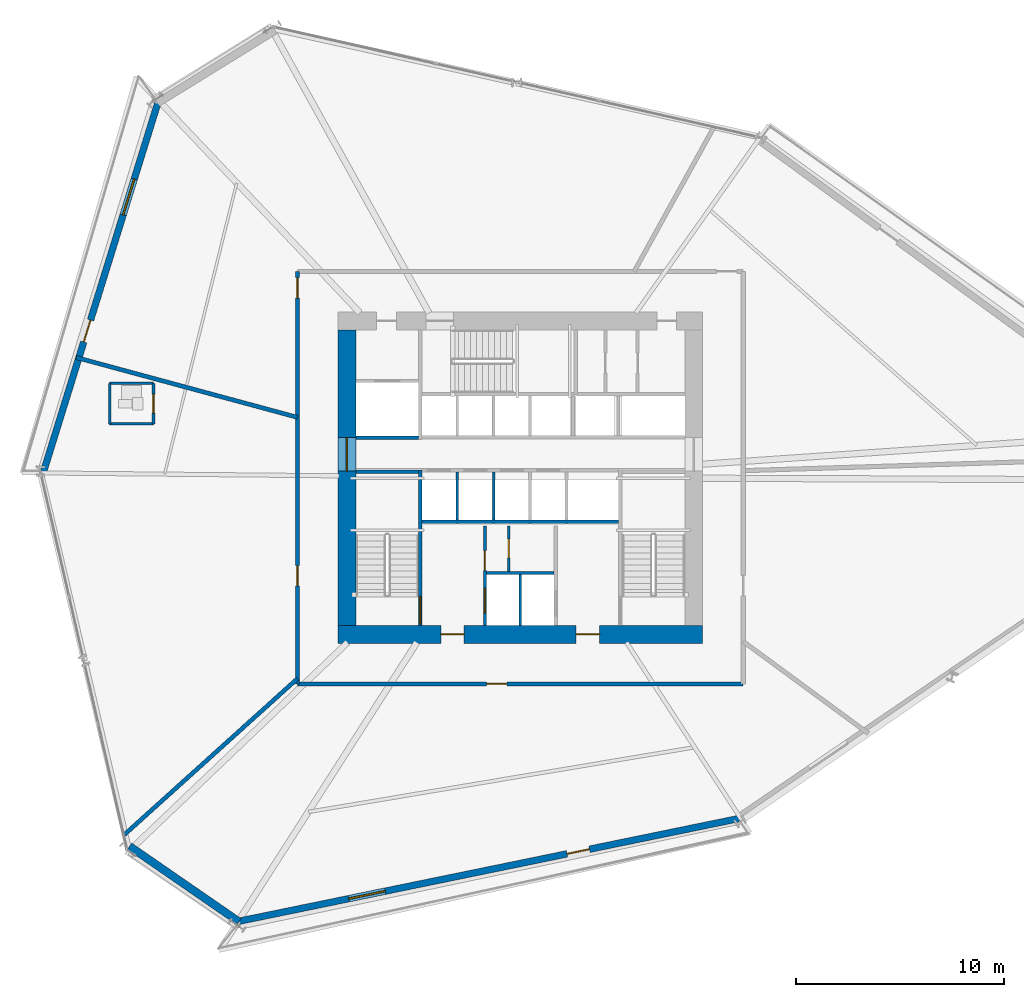
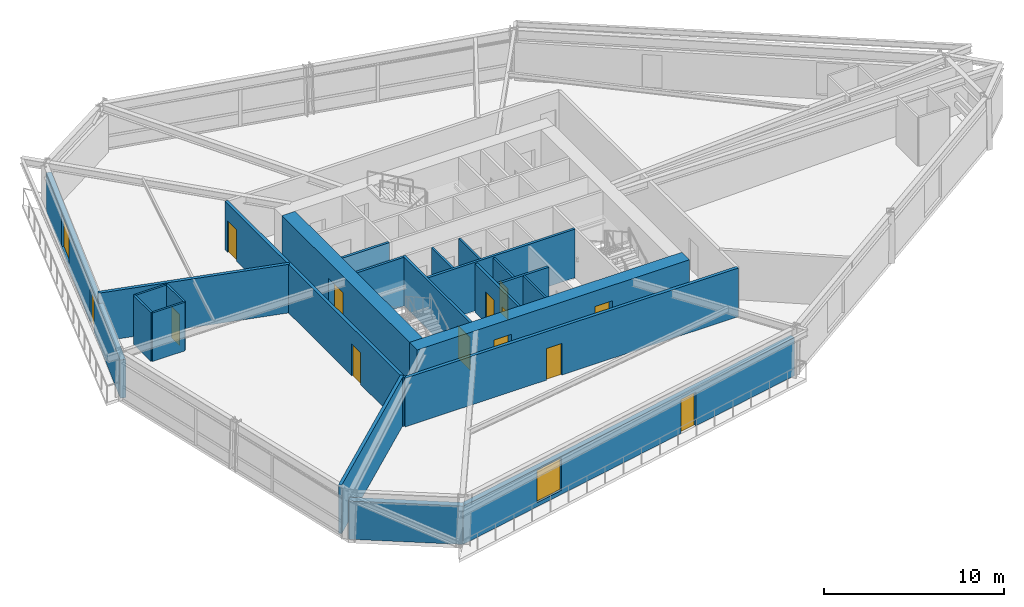
# One storey, part 16 of 23: 23 walls, 13 doors, 2 windows, 15 openings.
"""IFC4 building model written with IfcOpenShell, lengths in metres."""

from ifc_helpers import new_model, si_unit, direction, frame, frame_2d, origin, place, context, subcontext, project, spatial, rectangle, extrude, source, transform, mapped, material, layer, layer_set, type_object, type_shapes, element, fill, save


model = new_model("IFC4")

# Units and contexts
model_context = context("Model", 3, precision=1e-05, world=origin(), true_north=direction((0.0, 1.0)))
body_context = subcontext(model_context, "Body", "Model", "MODEL_VIEW")
ifc_project = project(units=[si_unit("LENGTHUNIT", "METRE"), si_unit("AREAUNIT", "SQUARE_METRE"), si_unit("VOLUMEUNIT", "CUBIC_METRE"), si_unit("PLANEANGLEUNIT", "RADIAN"), si_unit("MASSUNIT", "GRAM", prefix="KILO")], contexts=[model_context])

# Site, building, storey
site_placement = place(None, origin())
site = spatial("IfcSite", under=ifc_project, at=site_placement, CompositionType="ELEMENT")
building_placement = place(site_placement, origin())
building = spatial("IfcBuilding", under=site, at=building_placement, Name="Olszyna Solenne Hotel", CompositionType="ELEMENT")
storey_placement = place(building_placement, frame((0.0, 0.0, 32.85009765625)))
storey = spatial("IfcBuildingStorey", under=building, at=storey_placement, Name="L07", CompositionType="ELEMENT", Elevation=32.85009765625)

# Wall, openings, doors
ifc_material_1 = material(Name="Concrete C60/75", Category="concrete")
ifc_layer_1 = layer(ifc_material_1, 0.85009765625, Name="Concrete C60/75")
ifc_layer_set_1 = layer_set([ifc_layer_1], Name="Concrete C60/75")
wall_type_1 = type_object("IfcWallType", Name="WL-CR850", PredefinedType="SHEAR", material=ifc_layer_set_1)
wall_1_placement = place(storey_placement, frame((46.75, 19.074951171875, 0.0), z_axis=(0.0, 0.0, 1.0), x_axis=(-1.0, 0.0, 0.0)))
wall_1 = element("IfcWall", 1, at=wall_1_placement, inside=storey, type_object=wall_type_1, Name="Core shear wall WL-CR850 CRW-L07-S", PredefinedType="SHEAR", context=body_context, shape_type="SweptSolid", body=[
    extrude(rectangle(XDim=17.5, YDim=0.85009765625, at=frame_2d((8.75, 0.0))), origin(), (0.0, 0.0, 1.0), 3.2998046875),
])
opening_1_placement = place(wall_1_placement, frame((4.949951171875, 0.0, 0.0)))
opening_1 = element("IfcOpeningElement", 2, at=opening_1_placement, cuts=wall_1, Name="Opening FL-L07-1", PredefinedType="OPENING", context=body_context, shape_type="SweptSolid", body=[
    extrude(rectangle(XDim=1.1201171875, YDim=2.25, at=frame_2d((0.56005859375, 1.125))), frame((0.0, 0.43505859375, 0.0), z_axis=(0.0, -1.0, 0.0), x_axis=(1.0, 0.0, 0.0)), (0.0, 0.0, 1.0), 0.8701171875),
])
opening_2_placement = place(wall_1_placement, frame((11.449951171875, 0.0, 0.0)))
opening_2 = element("IfcOpeningElement", 3, at=opening_2_placement, cuts=wall_1, Name="Opening FL-L07-2", PredefinedType="OPENING", context=body_context, shape_type="SweptSolid", body=[
    extrude(rectangle(XDim=1.1201171875, YDim=2.25, at=frame_2d((0.56005859375, 1.125))), frame((0.0, 0.43505859375, 0.0), z_axis=(0.0, -1.0, 0.0), x_axis=(1.0, 0.0, 0.0)), (0.0, 0.0, 1.0), 0.8701171875),
])
ifc_material_2 = material(Name="Steel S355J2", Category="steel")
door_type_1 = type_object("IfcDoorType", Name="DR-FL1", OperationType="NOTDEFINED", PredefinedType="DOOR", material=ifc_material_2)
shared_shape_1 = source(origin(), body_context, "Body", "SweptSolid", [
    extrude(rectangle(XDim=1.1201171875, YDim=2.25, at=frame_2d((0.56005859375, 1.125))), frame((0.0, 0.02490234375, 0.0), z_axis=(0.0, -1.0, 0.0), x_axis=(1.0, 0.0, 0.0)), (0.0, 0.0, 1.0), 0.050048828125),
])
type_shapes(door_type_1, [shared_shape_1])
door_1_placement = place(opening_1_placement, origin())
door_1 = element("IfcDoor", 4, at=door_1_placement, inside=storey, type_object=door_type_1, Name="Firefighting lift lobby smoke door FL-L07-1", OperationType="SINGLE_SWING_LEFT", OverallHeight=2.25, OverallWidth=1.1201171875, PredefinedType="DOOR", context=body_context, shape_type="MappedRepresentation", body=[
    mapped(shared_shape_1, transform((0.0, 0.0, 0.0), x_axis=(1.0, 0.0, 0.0), y_axis=(0.0, 1.0, 0.0), z_axis=(0.0, 0.0, 1.0), scale=1.0)),
])
fill(opening_1, door_1)
door_2_placement = place(opening_2_placement, origin())
door_2 = element("IfcDoor", 5, at=door_2_placement, inside=storey, type_object=door_type_1, Name="Firefighting lift lobby smoke door FL-L07-2", OperationType="SINGLE_SWING_RIGHT", OverallHeight=2.25, OverallWidth=1.1201171875, PredefinedType="DOOR", context=body_context, shape_type="MappedRepresentation", body=[
    mapped(shared_shape_1, transform((0.0, 0.0, 0.0), x_axis=(1.0, 0.0, 0.0), y_axis=(0.0, 1.0, 0.0), z_axis=(0.0, 0.0, 1.0), scale=1.0)),
])
fill(opening_2, door_2)

# Wall, opening, door
wall_2_placement = place(storey_placement, frame((29.675048828125, 19.5, 0.0), z_axis=(0.0, 0.0, 1.0), x_axis=(0.0, 1.0, 0.0)))
wall_2 = element("IfcWall", 6, at=wall_2_placement, inside=storey, type_object=wall_type_1, Name="Core shear wall WL-CR850 CRW-L07-W", PredefinedType="SHEAR", context=body_context, shape_type="SweptSolid", body=[
    extrude(rectangle(XDim=14.199951171875, YDim=0.85009765625, at=frame_2d((7.10009765625, 0.0))), origin(), (0.0, 0.0, 1.0), 3.2998046875),
])
opening_3_placement = place(wall_2_placement, frame((7.419921875, 0.0, 0.0)))
opening_3 = element("IfcOpeningElement", 7, at=opening_3_placement, cuts=wall_2, Name="Opening LHD-L07-W", PredefinedType="OPENING", context=body_context, shape_type="SweptSolid", body=[
    extrude(rectangle(XDim=1.60009765625, YDim=2.199951171875, at=frame_2d((0.800048828125, 1.10009765625))), frame((0.0, 0.43505859375, 0.0), z_axis=(0.0, -1.0, 0.0), x_axis=(1.0, 0.0, 0.0)), (0.0, 0.0, 1.0), 0.8701171875),
])
ifc_material_3 = material(Name="Timber hardwood", Category="wood")
door_type_2 = type_object("IfcDoorType", Name="DR-CR1", OperationType="DOUBLE_DOOR_SINGLE_SWING", PredefinedType="DOOR", material=ifc_material_3)
shared_shape_2 = source(origin(), body_context, "Body", "SweptSolid", [
    extrude(rectangle(XDim=1.60009765625, YDim=2.199951171875, at=frame_2d((0.800048828125, 1.10009765625))), frame((0.0, 0.02490234375, 0.0), z_axis=(0.0, -1.0, 0.0), x_axis=(1.0, 0.0, 0.0)), (0.0, 0.0, 1.0), 0.050048828125),
])
type_shapes(door_type_2, [shared_shape_2])
door_3_placement = place(opening_3_placement, origin())
door_3 = element("IfcDoor", 8, at=door_3_placement, inside=storey, type_object=door_type_2, Name="Passenger lift lobby West fire door LHD-L07-W", OperationType="DOUBLE_DOOR_SINGLE_SWING", OverallHeight=2.199951171875, OverallWidth=1.60009765625, PredefinedType="DOOR", context=body_context, shape_type="MappedRepresentation", body=[
    mapped(shared_shape_2, transform((0.0, 0.0, 0.0), x_axis=(1.0, 0.0, 0.0), y_axis=(0.0, 1.0, 0.0), z_axis=(0.0, 0.0, 1.0), scale=1.0)),
])
fill(opening_3, door_3)

# Wall, openings, door, window
ifc_material_4 = material(Name="Precast concrete C45/55", Category="concrete")
ifc_layer_2 = layer(ifc_material_4, 0.320068359375, Name="Precast concrete C45/55")
ifc_layer_set_2 = layer_set([ifc_layer_2], Name="Precast concrete C45/55")
wall_type_2 = type_object("IfcWallType", Name="WL-EX320", PredefinedType="SOLIDWALL", material=ifc_layer_set_2)
wall_3_placement = place(storey_placement, frame((48.5078125, 10.23876953125, 0.0), z_axis=(0.0, 0.0, 1.0), x_axis=(-0.979551146508, -0.201195306543, 0.0)))
wall_3 = element("IfcWall", 9, at=wall_3_placement, inside=storey, type_object=wall_type_2, Name="Exterior terracotta-precast frame wall WL-EX320 EW-L07-01", PredefinedType="SOLIDWALL", context=body_context, shape_type="SweptSolid", body=[
    extrude(rectangle(XDim=24.658447265625, YDim=0.320068359375, at=frame_2d((12.3291015625, 0.0))), origin(), (0.0, 0.0, 1.0), 2.591796875),
])
opening_4_placement = place(wall_3_placement, frame((7.341064453125, 0.0, 0.0)))
opening_4 = element("IfcOpeningElement", 10, at=opening_4_placement, cuts=wall_3, Name="Opening LDG-L07-3", PredefinedType="OPENING", context=body_context, shape_type="SweptSolid", body=[
    extrude(rectangle(XDim=1.10009765625, YDim=2.300048828125, at=frame_2d((0.550048828125, 1.14990234375))), frame((0.0, 0.169921875, 0.0), z_axis=(0.0, -1.0, 0.0), x_axis=(1.0, 0.0, 0.0)), (0.0, 0.0, 1.0), 0.340087890625),
])
opening_5_placement = place(wall_3_placement, frame((17.346923828125, 0.0, 0.27197265625)))
opening_5 = element("IfcOpeningElement", 11, at=opening_5_placement, cuts=wall_3, Name="Opening WN-L07-026", PredefinedType="OPENING", context=body_context, shape_type="SweptSolid", body=[
    extrude(rectangle(XDim=1.800048828125, YDim=2.199951171875, at=frame_2d((0.89990234375, 1.10009765625))), frame((0.0, 0.169921875, 0.0), z_axis=(0.0, -1.0, 0.0), x_axis=(1.0, 0.0, 0.0)), (0.0, 0.0, 1.0), 0.340087890625),
])
ifc_material_5 = material(Name="Anodised bronze aluminium", Category="aluminium")
door_type_3 = type_object("IfcDoorType", Name="DR-LG1", OperationType="NOTDEFINED", PredefinedType="DOOR", material=ifc_material_5)
shared_shape_3 = source(origin(), body_context, "Body", "SweptSolid", [
    extrude(rectangle(XDim=1.10009765625, YDim=2.300048828125, at=frame_2d((0.550048828125, 1.14990234375))), frame((0.0, 0.02490234375, 0.0), z_axis=(0.0, -1.0, 0.0), x_axis=(1.0, 0.0, 0.0)), (0.0, 0.0, 1.0), 0.050048828125),
])
type_shapes(door_type_3, [shared_shape_3])
door_4_placement = place(opening_4_placement, origin())
door_4 = element("IfcDoor", 12, at=door_4_placement, inside=storey, type_object=door_type_3, Name="Exterior loggia balcony door DR-LG1 LDG-L07-3", OperationType="SINGLE_SWING_LEFT", OverallHeight=2.300048828125, OverallWidth=1.10009765625, PredefinedType="DOOR", context=body_context, shape_type="MappedRepresentation", body=[
    mapped(shared_shape_3, transform((0.0, 0.0, 0.0), x_axis=(1.0, 0.0, 0.0), y_axis=(0.0, 1.0, 0.0), z_axis=(0.0, 0.0, 1.0), scale=1.0)),
])
fill(opening_4, door_4)
ifc_material_6 = material(Name="Low-E triple glazing", Category="glass")
window_type = type_object("IfcWindowType", Name="WN-HT1", PartitioningType="SINGLE_PANEL", PredefinedType="WINDOW", material=ifc_material_6)
shared_shape_4 = source(origin(), body_context, "Body", "SweptSolid", [
    extrude(rectangle(XDim=1.800048828125, YDim=2.199951171875, at=frame_2d((0.89990234375, 1.10009765625))), frame((0.0, 0.030029296875, 0.0), z_axis=(0.0, -1.0, 0.0), x_axis=(1.0, 0.0, 0.0)), (0.0, 0.0, 1.0), 0.06005859375),
])
type_shapes(window_type, [shared_shape_4])
window_1_placement = place(opening_5_placement, origin())
window_1 = element("IfcWindow", 13, at=window_1_placement, inside=storey, type_object=window_type, Name="Loggia room window WN-HT1 WN-L07-026", OverallHeight=2.199951171875, OverallWidth=1.800048828125, PartitioningType="SINGLE_PANEL", PredefinedType="WINDOW", context=body_context, shape_type="MappedRepresentation", body=[
    mapped(shared_shape_4, transform((0.0, 0.0, 0.0), x_axis=(1.0, 0.0, 0.0), y_axis=(0.0, 1.0, 0.0), z_axis=(0.0, 0.0, 1.0), scale=1.0)),
])
fill(opening_5, window_1)

wall_4_placement = place(storey_placement, frame((15.10986328125, 26.886474609375, 0.0), z_axis=(0.0, 0.0, 1.0), x_axis=(0.295931636949, 0.955209121739, 0.0)))
wall_4 = element("IfcWall", 14, at=wall_4_placement, inside=storey, type_object=wall_type_2, Name="Exterior terracotta-precast frame wall WL-EX320 EW-L07-04", PredefinedType="SOLIDWALL", context=body_context, shape_type="SweptSolid", body=[
    extrude(rectangle(XDim=18.657958984375, YDim=0.320068359375, at=frame_2d((9.3291015625, 0.0))), origin(), (0.0, 0.0, 1.0), 2.591796875),
])
opening_6_placement = place(wall_4_placement, frame((6.52099609375, 0.0, 0.0)))
opening_6 = element("IfcOpeningElement", 15, at=opening_6_placement, cuts=wall_4, Name="Opening LDG-L07-2", PredefinedType="OPENING", context=body_context, shape_type="SweptSolid", body=[
    extrude(rectangle(XDim=1.10009765625, YDim=2.300048828125, at=frame_2d((0.550048828125, 1.14990234375))), frame((0.0, 0.169921875, 0.0), z_axis=(0.0, -1.0, 0.0), x_axis=(1.0, 0.0, 0.0)), (0.0, 0.0, 1.0), 0.340087890625),
])
opening_7_placement = place(wall_4_placement, frame((12.906982421875, 0.0, 0.27197265625)))
opening_7 = element("IfcOpeningElement", 16, at=opening_7_placement, cuts=wall_4, Name="Opening WN-L07-027", PredefinedType="OPENING", context=body_context, shape_type="SweptSolid", body=[
    extrude(rectangle(XDim=1.800048828125, YDim=2.199951171875, at=frame_2d((0.89990234375, 1.10009765625))), frame((0.0, 0.169921875, 0.0), z_axis=(0.0, -1.0, 0.0), x_axis=(1.0, 0.0, 0.0)), (0.0, 0.0, 1.0), 0.340087890625),
])
door_5_placement = place(opening_6_placement, origin())
door_5 = element("IfcDoor", 17, at=door_5_placement, inside=storey, type_object=door_type_3, Name="Exterior loggia balcony door DR-LG1 LDG-L07-2", OperationType="SINGLE_SWING_RIGHT", OverallHeight=2.300048828125, OverallWidth=1.10009765625, PredefinedType="DOOR", context=body_context, shape_type="MappedRepresentation", body=[
    mapped(shared_shape_3, transform((0.0, 0.0, 0.0), x_axis=(1.0, 0.0, 0.0), y_axis=(0.0, 1.0, 0.0), z_axis=(0.0, 0.0, 1.0), scale=1.0)),
])
fill(opening_6, door_5)
window_2_placement = place(opening_7_placement, origin())
window_2 = element("IfcWindow", 18, at=window_2_placement, inside=storey, type_object=window_type, Name="Loggia room window WN-HT1 WN-L07-027", OverallHeight=2.199951171875, OverallWidth=1.800048828125, PartitioningType="SINGLE_PANEL", PredefinedType="WINDOW", context=body_context, shape_type="MappedRepresentation", body=[
    mapped(shared_shape_4, transform((0.0, 0.0, 0.0), x_axis=(1.0, 0.0, 0.0), y_axis=(0.0, 1.0, 0.0), z_axis=(0.0, 0.0, 1.0), scale=1.0)),
])
fill(opening_7, window_2)

# Walls
ifc_material_7 = material(Name="Terracotta cladding on precast concrete C45/55", Category="masonry")
ifc_layer_3 = layer(ifc_material_7, 0.3798828125, Name="Terracotta cladding on precast concrete C45/55")
ifc_layer_set_3 = layer_set([ifc_layer_3], Name="Terracotta cladding on precast concrete C45/55")
wall_type_3 = type_object("IfcWallType", Name="WL-EX380", PredefinedType="SOLIDWALL", material=ifc_layer_set_3)
wall_5_placement = place(storey_placement, frame((24.49365234375, 5.277099609375, 0.0), z_axis=(0.0, 0.0, 1.0), x_axis=(-0.823143176909, 0.567833875625, 0.0)))
element("IfcWall", 19, at=wall_5_placement, inside=storey, type_object=wall_type_3, Name="Exterior terracotta-precast frame wall WL-EX380 EW-L07-02", PredefinedType="SOLIDWALL", context=body_context, shape_type="SweptSolid", body=[
    extrude(rectangle(XDim=6.3876953125, YDim=0.3798828125, at=frame_2d((3.19384765625, 0.0))), origin(), (0.0, 0.0, 1.0), 2.591796875),
])
ifc_material_8 = material(Name="Acoustic gypsum partition", Category="gypsum")
ifc_layer_4 = layer(ifc_material_8, 0.125, Name="Acoustic gypsum partition")
ifc_layer_set_4 = layer_set([ifc_layer_4], Name="Acoustic gypsum partition")
wall_type_4 = type_object("IfcWallType", Name="WL-PT125", PredefinedType="PARTITIONING", material=ifc_layer_set_4)
wall_6_placement = place(storey_placement, frame((38.0, 19.5, 0.0), z_axis=(0.0, 0.0, 1.0), x_axis=(0.0, 1.0, 0.0)))
element("IfcWall", 20, at=wall_6_placement, inside=storey, type_object=wall_type_4, Name="Core shaft compartment wall CW-L07-FFM", PredefinedType="PARTITIONING", context=body_context, shape_type="SweptSolid", body=[
    extrude(rectangle(XDim=2.4599609375, YDim=0.125, at=frame_2d((1.22998046875, 0.0))), origin(), (0.0, 0.0, 1.0), 3.2998046875),
])

# Wall, opening, door
wall_7_placement = place(storey_placement, frame((37.44189453125, 22.10009765625, 0.0), z_axis=(0.0, 0.0, 1.0), x_axis=(0.0, 1.0, 0.0)))
wall_7 = element("IfcWall", 21, at=wall_7_placement, inside=storey, type_object=wall_type_4, Name="Core shaft compartment wall CW-L07-SC3", PredefinedType="PARTITIONING", context=body_context, shape_type="SweptSolid", body=[
    extrude(rectangle(XDim=2.179931640625, YDim=0.125, at=frame_2d((1.08984375, 0.0))), origin(), (0.0, 0.0, 1.0), 3.2998046875),
])
opening_8_placement = place(wall_7_placement, frame((0.64990234375, 0.0, 0.0)))
opening_8 = element("IfcOpeningElement", 22, at=opening_8_placement, cuts=wall_7, Name="Opening SVD-L07-SC3", PredefinedType="OPENING", context=body_context, shape_type="SweptSolid", body=[
    extrude(rectangle(XDim=0.89990234375, YDim=2.10009765625, at=frame_2d((0.449951171875, 1.050048828125))), frame((0.0, 0.072509765625, 0.0), z_axis=(0.0, -1.0, 0.0), x_axis=(1.0, 0.0, 0.0)), (0.0, 0.0, 1.0), 0.14501953125),
])
door_type_4 = type_object("IfcDoorType", Name="DR-WC1", OperationType="NOTDEFINED", PredefinedType="DOOR", material=ifc_material_3)
shared_shape_5 = source(origin(), body_context, "Body", "SweptSolid", [
    extrude(rectangle(XDim=0.89990234375, YDim=2.10009765625, at=frame_2d((0.449951171875, 1.050048828125))), frame((0.0, 0.02490234375, 0.0), z_axis=(0.0, -1.0, 0.0), x_axis=(1.0, 0.0, 0.0)), (0.0, 0.0, 1.0), 0.050048828125),
])
type_shapes(door_type_4, [shared_shape_5])
door_6_placement = place(opening_8_placement, origin())
door_6 = element("IfcDoor", 23, at=door_6_placement, inside=storey, type_object=door_type_4, Name="Trolley bay door SVD-L07-SC3", OperationType="SINGLE_SWING_LEFT", OverallHeight=2.10009765625, OverallWidth=0.89990234375, PredefinedType="DOOR", context=body_context, shape_type="MappedRepresentation", body=[
    mapped(shared_shape_5, transform((0.0, 0.0, 0.0), x_axis=(1.0, 0.0, 0.0), y_axis=(0.0, 1.0, 0.0), z_axis=(0.0, 0.0, 1.0), scale=1.0)),
])
fill(opening_8, door_6)

# Walls
for number, where, z_axis, x_axis, name in (
    (24, (34.965087890625, 24.56005859375, 0.0), (0.0, 0.0, 1.0), (0.0, 1.0, 0.0), "Core shaft compartment wall CW-L07-DIVS349"),
    (25, (36.715087890625, 24.56005859375, 0.0), (0.0, 0.0, 1.0), (0.0, 1.0, 0.0), "Core shaft compartment wall CW-L07-DIVS367"),
):
    element("IfcWall", number, at=place(storey_placement, frame(where, z_axis=z_axis, x_axis=x_axis)), inside=storey, type_object=wall_type_4, Name=name, PredefinedType="PARTITIONING", context=body_context, shape_type="SweptSolid", body=[
        extrude(rectangle(XDim=2.31005859375, YDim=0.125, at=frame_2d((1.155029296875, 0.0))), origin(), (0.0, 0.0, 1.0), 3.2998046875),
    ])

# Wall, opening, door
wall_8_placement = place(storey_placement, frame((20.386962890625, 29.179931640625, 0.0), z_axis=(0.0, 0.0, 1.0), x_axis=(0.0, 1.0, 0.0)))
wall_8 = element("IfcWall", 26, at=wall_8_placement, inside=storey, type_object=wall_type_4, Name="Interior acoustic partition WL-PT125 PW-L07-0409", PredefinedType="PARTITIONING", context=body_context, shape_type="SweptSolid", body=[
    extrude(rectangle(XDim=1.949951171875, YDim=0.125, at=frame_2d((0.97509765625, 0.0))), origin(), (0.0, 0.0, 1.0), 3.2998046875),
])
opening_9_placement = place(wall_8_placement, frame((0.52490234375, 0.0, 0.0)))
opening_9 = element("IfcOpeningElement", 27, at=opening_9_placement, cuts=wall_8, Name="Opening DR-L07-0089", PredefinedType="OPENING", context=body_context, shape_type="SweptSolid", body=[
    extrude(rectangle(XDim=0.89990234375, YDim=2.10009765625, at=frame_2d((0.449951171875, 1.050048828125))), frame((0.0, 0.072509765625, 0.0), z_axis=(0.0, -1.0, 0.0), x_axis=(1.0, 0.0, 0.0)), (0.0, 0.0, 1.0), 0.14501953125),
])
door_7_placement = place(opening_9_placement, origin())
door_7 = element("IfcDoor", 28, at=door_7_placement, inside=storey, type_object=door_type_4, Name="En-Suite Bathroom Door DR-L07-0089", OperationType="SINGLE_SWING_RIGHT", OverallHeight=2.10009765625, OverallWidth=0.89990234375, PredefinedType="DOOR", context=body_context, shape_type="MappedRepresentation", body=[
    mapped(shared_shape_5, transform((0.0, 0.0, 0.0), x_axis=(1.0, 0.0, 0.0), y_axis=(0.0, 1.0, 0.0), z_axis=(0.0, 0.0, 1.0), scale=1.0)),
])
fill(opening_9, door_7)

# Walls
wall_9_placement = place(storey_placement, frame((20.386962890625, 31.1298828125, 0.0), z_axis=(0.0, 0.0, 1.0), x_axis=(-1.0, 0.0, 0.0)))
element("IfcWall", 29, at=wall_9_placement, inside=storey, type_object=wall_type_4, Name="Interior acoustic partition WL-PT125 PW-L07-0410", PredefinedType="PARTITIONING", context=body_context, shape_type="SweptSolid", body=[
    extrude(rectangle(XDim=2.099853515625, YDim=0.125, at=frame_2d((1.0498046875, 0.0))), origin(), (0.0, 0.0, 1.0), 3.2998046875),
])
wall_10_placement = place(storey_placement, frame((18.287109375, 31.1298828125, 0.0), z_axis=(0.0, 0.0, 1.0), x_axis=(0.0, -1.0, 0.0)))
element("IfcWall", 30, at=wall_10_placement, inside=storey, type_object=wall_type_4, Name="Interior acoustic partition WL-PT125 PW-L07-0411", PredefinedType="PARTITIONING", context=body_context, shape_type="SweptSolid", body=[
    extrude(rectangle(XDim=1.949951171875, YDim=0.125, at=frame_2d((0.97509765625, 0.0))), origin(), (0.0, 0.0, 1.0), 3.2998046875),
])
wall_11_placement = place(storey_placement, frame((18.287109375, 29.179931640625, 0.0), z_axis=(0.0, 0.0, 1.0), x_axis=(1.0, 0.0, 0.0)))
element("IfcWall", 31, at=wall_11_placement, inside=storey, type_object=wall_type_4, Name="Interior acoustic partition WL-PT125 PW-L07-0412", PredefinedType="PARTITIONING", context=body_context, shape_type="SweptSolid", body=[
    extrude(rectangle(XDim=2.099853515625, YDim=0.125, at=frame_2d((1.0498046875, 0.0))), origin(), (0.0, 0.0, 1.0), 3.2998046875),
])

# Wall, opening, door
ifc_layer_5 = layer(ifc_material_8, 0.159912109375, Name="Acoustic gypsum partition")
ifc_layer_set_5 = layer_set([ifc_layer_5], Name="Acoustic gypsum partition")
wall_type_5 = type_object("IfcWallType", Name="WL-PT160", PredefinedType="PARTITIONING", material=ifc_layer_set_5)
wall_12_placement = place(storey_placement, frame((33.199951171875, 19.5, 0.0), z_axis=(0.0, 0.0, 1.0), x_axis=(0.0, 1.0, 0.0)))
wall_12 = element("IfcWall", 32, at=wall_12_placement, inside=storey, type_object=wall_type_5, Name="Core shaft compartment wall CW-L07-ST1E", PredefinedType="PARTITIONING", context=body_context, shape_type="SweptSolid", body=[
    extrude(rectangle(XDim=7.4599609375, YDim=0.159912109375, at=frame_2d((3.72998046875, 0.0))), origin(), (0.0, 0.0, 1.0), 3.2998046875),
])
opening_10_placement = place(wall_12_placement, frame((0.080078125, 0.0, 0.0)))
opening_10 = element("IfcOpeningElement", 33, at=opening_10_placement, cuts=wall_12, Name="Opening STD-L07-01", PredefinedType="OPENING", context=body_context, shape_type="SweptSolid", body=[
    extrude(rectangle(XDim=1.320068359375, YDim=2.199951171875, at=frame_2d((0.66015625, 1.10009765625))), frame((0.0, 0.08984375, 0.0), z_axis=(0.0, -1.0, 0.0), x_axis=(1.0, 0.0, 0.0)), (0.0, 0.0, 1.0), 0.179931640625),
])
door_type_5 = type_object("IfcDoorType", Name="DR-ST1", OperationType="NOTDEFINED", PredefinedType="DOOR", material=ifc_material_2)
shared_shape_6 = source(origin(), body_context, "Body", "SweptSolid", [
    extrude(rectangle(XDim=1.320068359375, YDim=2.199951171875, at=frame_2d((0.66015625, 1.10009765625))), frame((0.0, 0.02490234375, 0.0), z_axis=(0.0, -1.0, 0.0), x_axis=(1.0, 0.0, 0.0)), (0.0, 0.0, 1.0), 0.050048828125),
])
type_shapes(door_type_5, [shared_shape_6])
door_8_placement = place(opening_10_placement, origin())
door_8 = element("IfcDoor", 34, at=door_8_placement, inside=storey, type_object=door_type_5, Name="Pressurised exit stair ST1 fire door STD-L07-01", OperationType="SINGLE_SWING_LEFT", OverallHeight=2.199951171875, OverallWidth=1.320068359375, PredefinedType="DOOR", context=body_context, shape_type="MappedRepresentation", body=[
    mapped(shared_shape_6, transform((0.0, 0.0, 0.0), x_axis=(1.0, 0.0, 0.0), y_axis=(0.0, 1.0, 0.0), z_axis=(0.0, 0.0, 1.0), scale=1.0)),
])
fill(opening_10, door_8)

# Wall
wall_13_placement = place(storey_placement, frame((30.10009765625, 26.8798828125, 0.0), z_axis=(0.0, 0.0, 1.0), x_axis=(1.0, 0.0, 0.0)))
element("IfcWall", 35, at=wall_13_placement, inside=storey, type_object=wall_type_5, Name="Core shaft compartment wall CW-L07-ST1N", PredefinedType="PARTITIONING", context=body_context, shape_type="SweptSolid", body=[
    extrude(rectangle(XDim=3.02001953125, YDim=0.159912109375, at=frame_2d((1.510009765625, 0.0))), origin(), (0.0, 0.0, 1.0), 3.2998046875),
])

# Wall, openings, doors
wall_14_placement = place(storey_placement, frame((36.300048828125, 19.5, 0.0), z_axis=(0.0, 0.0, 1.0), x_axis=(0.0, 1.0, 0.0)))
wall_14 = element("IfcWall", 36, at=wall_14_placement, inside=storey, type_object=wall_type_5, Name="Core shaft compartment wall CW-L07-FF1W", PredefinedType="PARTITIONING", context=body_context, shape_type="SweptSolid", body=[
    extrude(rectangle(XDim=4.780029296875, YDim=0.159912109375, at=frame_2d((2.39013671875, 0.0))), origin(), (0.0, 0.0, 1.0), 3.2998046875),
])
opening_11_placement = place(wall_14_placement, frame((0.60009765625, 0.0, 0.0)))
opening_11 = element("IfcOpeningElement", 37, at=opening_11_placement, cuts=wall_14, Name="Opening LD-L07-FF1", PredefinedType="OPENING", context=body_context, shape_type="SweptSolid", body=[
    extrude(rectangle(XDim=1.199951171875, YDim=2.199951171875, at=frame_2d((0.60009765625, 1.10009765625))), frame((0.0, 0.08984375, 0.0), z_axis=(0.0, -1.0, 0.0), x_axis=(1.0, 0.0, 0.0)), (0.0, 0.0, 1.0), 0.179931640625),
])
opening_12_placement = place(wall_14_placement, frame((2.64990234375, 0.0, 0.0)))
opening_12 = element("IfcOpeningElement", 38, at=opening_12_placement, cuts=wall_14, Name="Opening SVD-L07-SMK", PredefinedType="OPENING", context=body_context, shape_type="SweptSolid", body=[
    extrude(rectangle(XDim=0.949951171875, YDim=2.10009765625, at=frame_2d((0.47509765625, 1.050048828125))), frame((0.0, 0.08984375, 0.0), z_axis=(0.0, -1.0, 0.0), x_axis=(1.0, 0.0, 0.0)), (0.0, 0.0, 1.0), 0.179931640625),
])
door_type_6 = type_object("IfcDoorType", Name="DR-SV1", OperationType="NOTDEFINED", PredefinedType="DOOR", material=ifc_material_2)
shared_shape_7 = source(origin(), body_context, "Body", "SweptSolid", [
    extrude(rectangle(XDim=0.949951171875, YDim=2.10009765625, at=frame_2d((0.47509765625, 1.050048828125))), frame((0.0, 0.02490234375, 0.0), z_axis=(0.0, -1.0, 0.0), x_axis=(1.0, 0.0, 0.0)), (0.0, 0.0, 1.0), 0.050048828125),
])
type_shapes(door_type_6, [shared_shape_7])
door_9_placement = place(opening_12_placement, origin())
door_9 = element("IfcDoor", 39, at=door_9_placement, inside=storey, type_object=door_type_6, Name="Valet and core service room door SVD-L07-SMK", OperationType="SINGLE_SWING_LEFT", OverallHeight=2.10009765625, OverallWidth=0.949951171875, PredefinedType="DOOR", context=body_context, shape_type="MappedRepresentation", body=[
    mapped(shared_shape_7, transform((0.0, 0.0, 0.0), x_axis=(1.0, 0.0, 0.0), y_axis=(0.0, 1.0, 0.0), z_axis=(0.0, 0.0, 1.0), scale=1.0)),
])
fill(opening_12, door_9)
door_type_7 = type_object("IfcDoorType", Name="LD-FF1", OperationType="DOUBLE_DOOR_SLIDING", PredefinedType="DOOR", material=ifc_material_2)
shared_shape_8 = source(origin(), body_context, "Body", "SweptSolid", [
    extrude(rectangle(XDim=1.199951171875, YDim=2.199951171875, at=frame_2d((0.60009765625, 1.10009765625))), frame((0.0, 0.02490234375, 0.0), z_axis=(0.0, -1.0, 0.0), x_axis=(1.0, 0.0, 0.0)), (0.0, 0.0, 1.0), 0.050048828125),
])
type_shapes(door_type_7, [shared_shape_8])
door_10_placement = place(opening_11_placement, origin())
door_10 = element("IfcDoor", 40, at=door_10_placement, inside=storey, type_object=door_type_7, Name="Firefighters lift FF1 sliding landing door LD-L07-FF1", OperationType="DOUBLE_DOOR_SLIDING", OverallHeight=2.199951171875, OverallWidth=1.199951171875, PredefinedType="DOOR", context=body_context, shape_type="MappedRepresentation", body=[
    mapped(shared_shape_8, transform((0.0, 0.0, 0.0), x_axis=(1.0, 0.0, 0.0), y_axis=(0.0, 1.0, 0.0), z_axis=(0.0, 0.0, 1.0), scale=1.0)),
])
fill(opening_11, door_10)

# Walls
wall_15_placement = place(storey_placement, frame((36.3798828125, 22.02001953125, 0.0), z_axis=(0.0, 0.0, 1.0), x_axis=(1.0, 0.0, 0.0)))
element("IfcWall", 41, at=wall_15_placement, inside=storey, type_object=wall_type_5, Name="Core shaft compartment wall CW-L07-FFN", PredefinedType="PARTITIONING", context=body_context, shape_type="SweptSolid", body=[
    extrude(rectangle(XDim=3.240234375, YDim=0.159912109375, at=frame_2d((1.6201171875, 0.0))), origin(), (0.0, 0.0, 1.0), 3.2998046875),
])
wall_16_placement = place(storey_placement, frame((33.280029296875, 24.489990234375, 0.0), z_axis=(0.0, 0.0, 1.0), x_axis=(1.0, 0.0, 0.0)))
element("IfcWall", 42, at=wall_16_placement, inside=storey, type_object=wall_type_5, Name="Core shaft compartment wall CW-L07-FFBN", PredefinedType="PARTITIONING", context=body_context, shape_type="SweptSolid", body=[
    extrude(rectangle(XDim=9.43994140625, YDim=0.159912109375, at=frame_2d((4.719970703125, 0.0))), origin(), (0.0, 0.0, 1.0), 3.2998046875),
])
wall_17_placement = place(storey_placement, frame((30.10009765625, 28.52001953125, 0.0), z_axis=(0.0, 0.0, 1.0), x_axis=(1.0, 0.0, 0.0)))
element("IfcWall", 43, at=wall_17_placement, inside=storey, type_object=wall_type_5, Name="Core shaft compartment wall CW-L07-SV1S", PredefinedType="PARTITIONING", context=body_context, shape_type="SweptSolid", body=[
    extrude(rectangle(XDim=3.02001953125, YDim=0.159912109375, at=frame_2d((1.510009765625, 0.0))), origin(), (0.0, 0.0, 1.0), 3.2998046875),
])
ifc_layer_6 = layer(ifc_material_8, 0.199951171875, Name="Acoustic gypsum partition")
ifc_layer_set_6 = layer_set([ifc_layer_6], Name="Acoustic gypsum partition")
wall_type_6 = type_object("IfcWallType", Name="WL-PT200", PredefinedType="PARTITIONING", material=ifc_layer_set_6)
wall_18_placement = place(storey_placement, frame((27.300048828125, 29.495361328125, 0.0), z_axis=(0.0, 0.0, 1.0), x_axis=(-0.965288478022, 0.261186052841, 0.0)))
element("IfcWall", 44, at=wall_18_placement, inside=storey, type_object=wall_type_6, Name="Interior acoustic partition WL-PT200 PW-L07-0402", PredefinedType="PARTITIONING", context=body_context, shape_type="SweptSolid", body=[
    extrude(rectangle(XDim=11.00927734375, YDim=0.199951171875, at=frame_2d((5.504638671875, 0.0))), origin(), (0.0, 0.0, 1.0), 3.2998046875),
])
wall_19_placement = place(storey_placement, frame((27.300048828125, 16.95361328125, 0.0), z_axis=(0.0, 0.0, 1.0), x_axis=(-0.742738100956, -0.669582043807, 0.0)))
element("IfcWall", 45, at=wall_19_placement, inside=storey, type_object=wall_type_6, Name="Interior acoustic partition WL-PT200 PW-L07-0403", PredefinedType="PARTITIONING", context=body_context, shape_type="SweptSolid", body=[
    extrude(rectangle(XDim=11.18310546875, YDim=0.199951171875, at=frame_2d((5.591552734375, 0.0))), origin(), (0.0, 0.0, 1.0), 3.2998046875),
])

# Wall, opening, door
wall_20_placement = place(storey_placement, frame((27.300048828125, 16.699951171875, 0.0), z_axis=(0.0, 0.0, 1.0), x_axis=(1.0, 0.0, 0.0)))
wall_20 = element("IfcWall", 46, at=wall_20_placement, inside=storey, type_object=wall_type_6, Name="Interior acoustic partition WL-PT200 PW-L07-0417", PredefinedType="PARTITIONING", context=body_context, shape_type="SweptSolid", body=[
    extrude(rectangle(XDim=21.39990234375, YDim=0.199951171875, at=frame_2d((10.699951171875, 0.0))), origin(), (0.0, 0.0, 1.0), 3.2998046875),
])
opening_13_placement = place(wall_20_placement, frame((9.077880859375, 0.0, 0.0)))
opening_13 = element("IfcOpeningElement", 47, at=opening_13_placement, cuts=wall_20, Name="Opening DR-L07-0091", PredefinedType="OPENING", context=body_context, shape_type="SweptSolid", body=[
    extrude(rectangle(XDim=0.97998046875, YDim=2.14990234375, at=frame_2d((0.489990234375, 1.074951171875))), frame((0.0, 0.10986328125, 0.0), z_axis=(0.0, -1.0, 0.0), x_axis=(1.0, 0.0, 0.0)), (0.0, 0.0, 1.0), 0.219970703125),
])
door_type_8 = type_object("IfcDoorType", Name="DR-RM1", OperationType="NOTDEFINED", PredefinedType="DOOR", material=ifc_material_3)
shared_shape_9 = source(origin(), body_context, "Body", "SweptSolid", [
    extrude(rectangle(XDim=0.97998046875, YDim=2.14990234375, at=frame_2d((0.489990234375, 1.074951171875))), frame((0.0, 0.02490234375, 0.0), z_axis=(0.0, -1.0, 0.0), x_axis=(1.0, 0.0, 0.0)), (0.0, 0.0, 1.0), 0.050048828125),
])
type_shapes(door_type_8, [shared_shape_9])
door_11_placement = place(opening_13_placement, origin())
door_11 = element("IfcDoor", 48, at=door_11_placement, inside=storey, type_object=door_type_8, Name="Private Business Office Entrance Door DR-L07-0091", OperationType="SINGLE_SWING_LEFT", OverallHeight=2.14990234375, OverallWidth=0.97998046875, PredefinedType="DOOR", context=body_context, shape_type="MappedRepresentation", body=[
    mapped(shared_shape_9, transform((0.0, 0.0, 0.0), x_axis=(1.0, 0.0, 0.0), y_axis=(0.0, 1.0, 0.0), z_axis=(0.0, 0.0, 1.0), scale=1.0)),
])
fill(opening_13, door_11)

# Wall, openings, doors
wall_21_placement = place(storey_placement, frame((27.300048828125, 16.699951171875, 0.0), z_axis=(0.0, 0.0, 1.0), x_axis=(0.0, 1.0, 0.0)))
wall_21 = element("IfcWall", 49, at=wall_21_placement, inside=storey, type_object=wall_type_6, Name="Interior acoustic partition WL-PT200 PW-L07-0418", PredefinedType="PARTITIONING", context=body_context, shape_type="SweptSolid", body=[
    extrude(rectangle(XDim=19.800048828125, YDim=0.199951171875, at=frame_2d((9.89990234375, 0.0))), origin(), (0.0, 0.0, 1.0), 3.2998046875),
])
opening_14_placement = place(wall_21_placement, frame((18.52001953125, 0.0, 0.0)))
opening_14 = element("IfcOpeningElement", 50, at=opening_14_placement, cuts=wall_21, Name="Opening DR-L07-0092", PredefinedType="OPENING", context=body_context, shape_type="SweptSolid", body=[
    extrude(rectangle(XDim=0.97998046875, YDim=2.14990234375, at=frame_2d((0.489990234375, 1.074951171875))), frame((0.0, 0.10986328125, 0.0), z_axis=(0.0, -1.0, 0.0), x_axis=(1.0, 0.0, 0.0)), (0.0, 0.0, 1.0), 0.219970703125),
])
opening_15_placement = place(wall_21_placement, frame((4.701904296875, 0.0, 0.0)))
opening_15 = element("IfcOpeningElement", 51, at=opening_15_placement, cuts=wall_21, Name="Opening DR-L07-0093", PredefinedType="OPENING", context=body_context, shape_type="SweptSolid", body=[
    extrude(rectangle(XDim=0.97998046875, YDim=2.14990234375, at=frame_2d((0.489990234375, 1.074951171875))), frame((0.0, 0.10986328125, 0.0), z_axis=(0.0, -1.0, 0.0), x_axis=(1.0, 0.0, 0.0)), (0.0, 0.0, 1.0), 0.219970703125),
])
door_12_placement = place(opening_14_placement, origin())
door_12 = element("IfcDoor", 52, at=door_12_placement, inside=storey, type_object=door_type_8, Name="Executive Club Lounge Entrance Door DR-L07-0092", OperationType="SINGLE_SWING_LEFT", OverallHeight=2.14990234375, OverallWidth=0.97998046875, PredefinedType="DOOR", context=body_context, shape_type="MappedRepresentation", body=[
    mapped(shared_shape_9, transform((0.0, 0.0, 0.0), x_axis=(1.0, 0.0, 0.0), y_axis=(0.0, 1.0, 0.0), z_axis=(0.0, 0.0, 1.0), scale=1.0)),
])
fill(opening_14, door_12)
door_13_placement = place(opening_15_placement, origin())
door_13 = element("IfcDoor", 53, at=door_13_placement, inside=storey, type_object=door_type_8, Name="Corner Panorama Suite Entrance Door DR-L07-0093", OperationType="SINGLE_SWING_RIGHT", OverallHeight=2.14990234375, OverallWidth=0.97998046875, PredefinedType="DOOR", context=body_context, shape_type="MappedRepresentation", body=[
    mapped(shared_shape_9, transform((0.0, 0.0, 0.0), x_axis=(1.0, 0.0, 0.0), y_axis=(0.0, 1.0, 0.0), z_axis=(0.0, 0.0, 1.0), scale=1.0)),
])
fill(opening_15, door_13)

save(model, "model.ifc")
